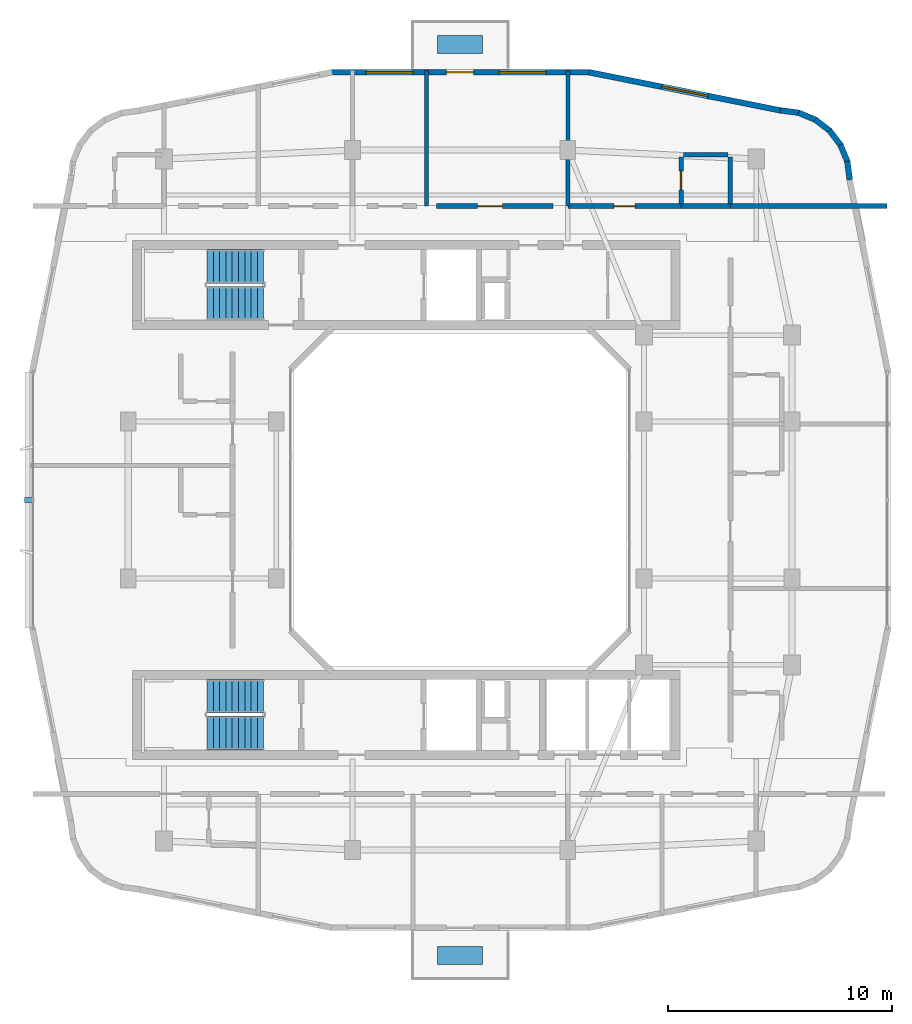
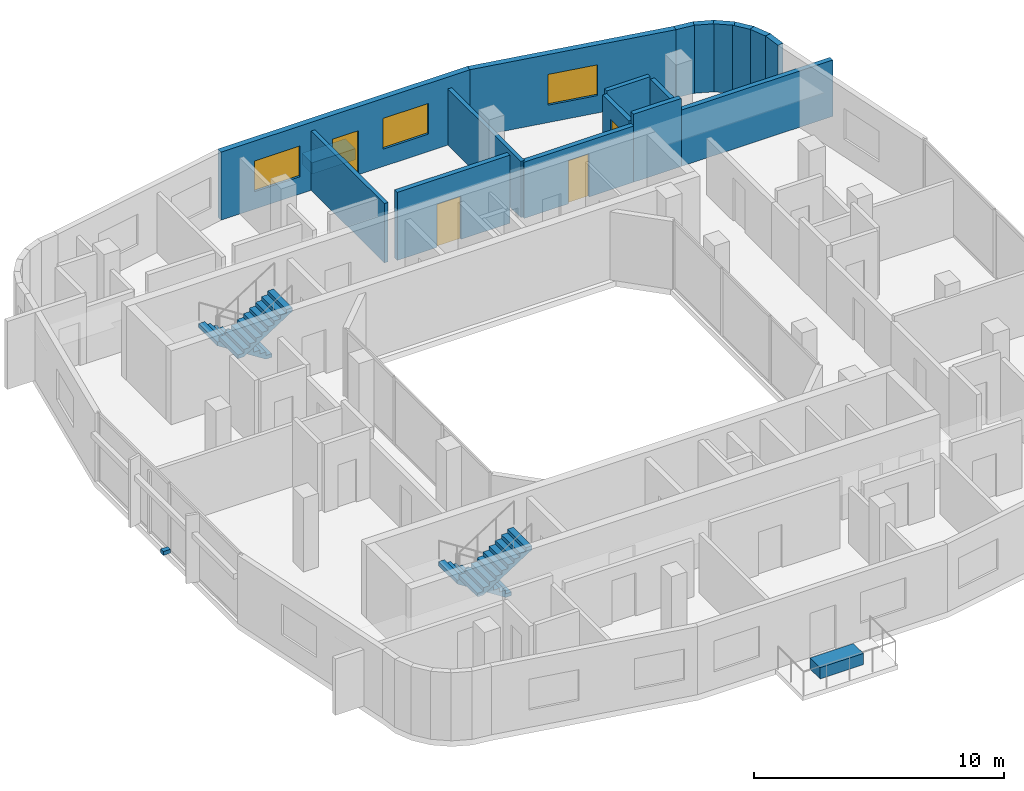
# One storey, part 9 of 13: 17 walls, 4 doors, 4 stair flights, 3 discrete accessories, 3 windows, 7 openings, 2 elements without a shape of their own.
"""IFC4 building model written with IfcOpenShell, lengths in metres."""

from ifc_helpers import new_model, si_unit, derived_unit, direction, frame, frame_2d, origin, origin_2d, place, context, subcontext, project, spatial, polyline, rectangle, outline, extrude, material, layer, layer_set, type_object, element, fill, aggregate, save


model = new_model("IFC4")

# Units and contexts
model_context = context("Model", 3, precision=1e-05, world=origin(), true_north=direction((0.0, 1.0)))
body_context = subcontext(model_context, "Body", "Model", "MODEL_VIEW")
ifc_project = project(units=[si_unit("LENGTHUNIT", "METRE"), si_unit("AREAUNIT", "SQUARE_METRE"), si_unit("VOLUMEUNIT", "CUBIC_METRE"), si_unit("PLANEANGLEUNIT", "RADIAN"), si_unit("MASSUNIT", "GRAM", prefix="KILO"), derived_unit("THERMALTRANSMITTANCEUNIT", [(si_unit("POWERUNIT", "WATT"), 1), (si_unit("LENGTHUNIT", "METRE"), -2), (si_unit("THERMODYNAMICTEMPERATUREUNIT", "KELVIN"), -1)])], contexts=[model_context])

# Site, building, storey
site_placement = place(None, origin())
site = spatial("IfcSite", under=ifc_project, at=site_placement, CompositionType="ELEMENT")
building_placement = place(site_placement, origin())
building = spatial("IfcBuilding", under=site, at=building_placement, Name="Kivonza Crest Hotel", CompositionType="ELEMENT")
storey_placement = place(building_placement, frame((0.0, 0.0, 231.5)))
storey = spatial("IfcBuildingStorey", under=building, at=storey_placement, Name="L63", CompositionType="ELEMENT", Elevation=231.5)

# Walls
ifc_material_1 = material(Name="High-density acoustic masonry inter-tenancy wall", Category="masonry")
ifc_layer_1 = layer(ifc_material_1, 0.179931640625)
ifc_layer_set_1 = layer_set([ifc_layer_1], Name="High-density acoustic masonry inter-tenancy wall")
wall_type_1 = type_object("IfcWallType", Name="WL-ACOU-180", PredefinedType="SOLIDWALL", material=ifc_layer_set_1)
wall_1_placement = place(storey_placement, frame((19.5, 38.10009765625, 0.0), z_axis=(0.0, 0.0, 1.0), x_axis=(0.0, 1.0, 0.0)))
element("IfcWall", 1, at=wall_1_placement, inside=storey, type_object=wall_type_1, Name="L63 interior partition WA-L63-T1N-SPDIV2", PredefinedType="SOLIDWALL", context=body_context, shape_type="SweptSolid", body=[
    extrude(rectangle(XDim=6.039794921875, YDim=0.179931640625, at=frame_2d((3.02001953125, 0.0))), origin(), (0.0, 0.0, 1.0), 2.89501953125),
])
wall_2_placement = place(storey_placement, frame((25.800048828125, 38.10009765625, 0.0), z_axis=(0.0, 0.0, 1.0), x_axis=(0.0, 1.0, 0.0)))
element("IfcWall", 2, at=wall_2_placement, inside=storey, type_object=wall_type_1, Name="L63 interior partition WA-L63-T1N-DIV3", PredefinedType="SOLIDWALL", context=body_context, shape_type="SweptSolid", body=[
    extrude(rectangle(XDim=6.039794921875, YDim=0.179931640625, at=frame_2d((3.02001953125, 0.0))), origin(), (0.0, 0.0, 1.0), 2.7451171875),
])

# Wall, opening, door
ifc_material_2 = material(Name="Autoclaved aerated concrete blockwork", Category="masonry")
ifc_layer_2 = layer(ifc_material_2, 0.219970703125)
ifc_layer_set_2 = layer_set([ifc_layer_2], Name="Autoclaved aerated concrete blockwork")
wall_type_2 = type_object("IfcWallType", Name="WL-ACOU-220", PredefinedType="SOLIDWALL", material=ifc_layer_set_2)
wall_3_placement = place(storey_placement, frame((19.949951171875, 38.10009765625, 0.0), z_axis=(0.0, 0.0, 1.0), x_axis=(1.0, 0.0, 0.0)))
wall_3 = element("IfcWall", 3, at=wall_3_placement, inside=storey, type_object=wall_type_2, Name="L63 interior partition WA-L63-Z3-NOFF2B-S", PredefinedType="SOLIDWALL", context=body_context, shape_type="SweptSolid", body=[
    extrude(rectangle(XDim=5.199951171875, YDim=0.219970703125, at=frame_2d((2.60009765625, 0.0))), origin(), (0.0, 0.0, 1.0), 3.320068359375),
])
opening_1_placement = place(wall_3_placement, frame((1.8349609375, 0.0, 0.0)))
opening_1 = element("IfcOpeningElement", 4, at=opening_1_placement, cuts=wall_3, Name="Opening DF-60M", PredefinedType="OPENING", context=body_context, shape_type="SweptSolid", body=[
    extrude(rectangle(XDim=1.10009765625, YDim=2.10009765625, at=frame_2d((0.550048828125, 1.050048828125))), frame((0.0, 0.1201171875, 0.0), z_axis=(0.0, -1.0, 0.0), x_axis=(1.0, 0.0, 0.0)), (0.0, 0.0, 1.0), 0.239990234375),
])
ifc_material_3 = material(Name="Hardwood timber oak", Category="wood")
door_type_1 = type_object("IfcDoorType", Name="DR-FD60-1100", OperationType="NOTDEFINED", PredefinedType="DOOR", material=ifc_material_3)
door_1_placement = place(opening_1_placement, origin())
door_1 = element("IfcDoor", 5, at=door_1_placement, inside=storey, type_object=door_type_1, Name="L63 High-Rise Diplomatic Study Office door", OperationType="SINGLE_SWING_LEFT", OverallHeight=2.10009765625, OverallWidth=1.10009765625, PredefinedType="DOOR", context=body_context, shape_type="SweptSolid", body=[
    extrude(rectangle(XDim=1.10009765625, YDim=2.10009765625, at=frame_2d((0.550048828125, 1.050048828125))), frame((0.0, 0.02490234375, 0.0), z_axis=(0.0, -1.0, 0.0), x_axis=(1.0, 0.0, 0.0)), (0.0, 0.0, 1.0), 0.050048828125),
])
fill(opening_1, door_1)

# Walls
wall_4_placement = place(storey_placement, frame((33.050048828125, 38.10009765625, 0.0), z_axis=(0.0, 0.0, 1.0), x_axis=(1.0, 0.0, 0.0)))
element("IfcWall", 6, at=wall_4_placement, inside=storey, type_object=wall_type_2, Name="L63 interior partition WA-L63-N02-XCORR", PredefinedType="SOLIDWALL", context=body_context, shape_type="SweptSolid", body=[
    extrude(rectangle(XDim=6.989990234375, YDim=0.219970703125, at=frame_2d((3.4951171875, 0.0))), origin(), (0.0, 0.0, 1.0), 2.7451171875),
])
wall_5_placement = place(storey_placement, frame((30.85009765625, 38.10009765625, 0.0), z_axis=(0.0, 0.0, 1.0), x_axis=(1.0, 0.0, 0.0)))
element("IfcWall", 7, at=wall_5_placement, inside=storey, type_object=wall_type_2, Name="L63 interior partition WA-L63-N02-BCORR", PredefinedType="SOLIDWALL", context=body_context, shape_type="SweptSolid", body=[
    extrude(rectangle(XDim=2.199951171875, YDim=0.219970703125, at=frame_2d((1.10009765625, 0.0))), origin(), (0.0, 0.0, 1.0), 3.320068359375),
])

# Wall, opening, door
wall_6_placement = place(storey_placement, frame((25.800048828125, 38.10009765625, 0.0), z_axis=(0.0, 0.0, 1.0), x_axis=(1.0, 0.0, 0.0)))
wall_6 = element("IfcWall", 8, at=wall_6_placement, inside=storey, type_object=wall_type_2, Name="L63 interior partition WA-L63-N02-MCORR", PredefinedType="SOLIDWALL", context=body_context, shape_type="SweptSolid", body=[
    extrude(rectangle(XDim=5.050048828125, YDim=0.219970703125, at=frame_2d((2.52490234375, 0.0))), origin(), (0.0, 0.0, 1.0), 2.7451171875),
])
opening_2_placement = place(wall_6_placement, frame((2.050048828125, 0.0, 0.0)))
opening_2 = element("IfcOpeningElement", 9, at=opening_2_placement, cuts=wall_6, Name="Opening DU-60", PredefinedType="OPENING", context=body_context, shape_type="SweptSolid", body=[
    extrude(rectangle(XDim=0.949951171875, YDim=2.10009765625, at=frame_2d((0.47509765625, 1.050048828125))), frame((0.0, 0.1201171875, 0.0), z_axis=(0.0, -1.0, 0.0), x_axis=(1.0, 0.0, 0.0)), (0.0, 0.0, 1.0), 0.239990234375),
])
door_type_2 = type_object("IfcDoorType", Name="DR-UNIT-950", OperationType="NOTDEFINED", PredefinedType="DOOR", material=ifc_material_3)
door_2_placement = place(opening_2_placement, origin())
door_2 = element("IfcDoor", 10, at=door_2_placement, inside=storey, type_object=door_type_2, Name="L63 N02 guest unit entrance fire door", OperationType="SINGLE_SWING_RIGHT", OverallHeight=2.10009765625, OverallWidth=0.949951171875, PredefinedType="DOOR", context=body_context, shape_type="SweptSolid", body=[
    extrude(rectangle(XDim=0.949951171875, YDim=2.10009765625, at=frame_2d((0.47509765625, 1.050048828125))), frame((0.0, 0.02490234375, 0.0), z_axis=(0.0, -1.0, 0.0), x_axis=(1.0, 0.0, 0.0)), (0.0, 0.0, 1.0), 0.050048828125),
])
fill(opening_2, door_2)

# Walls
ifc_material_4 = material(Name="Precast concrete C40/50", Category="concrete")
ifc_layer_3 = layer(ifc_material_4, 0.260009765625)
ifc_layer_set_3 = layer_set([ifc_layer_3], Name="Precast concrete C40/50")
wall_type_3 = type_object("IfcWallType", Name="WL-EXT-260", PredefinedType="STANDARD", material=ifc_layer_set_3)
wall_7_placement = place(storey_placement, frame((38.3720703125, 39.27490234375, 0.0), z_axis=(0.0, 0.0, 1.0), x_axis=(-0.130954667764, 0.9913883573, 0.0)))
element("IfcWall", 11, at=wall_7_placement, inside=storey, type_object=wall_type_3, Name="L63 T1 exterior insulated wall 19", PredefinedType="STANDARD", context=body_context, shape_type="SweptSolid", body=[
    extrude(rectangle(XDim=0.833251953125, YDim=0.260009765625, at=frame_2d((0.41650390625, 0.0))), origin(), (0.0, 0.0, 1.0), 3.320068359375),
])
wall_8_placement = place(storey_placement, frame((38.281005859375, 40.054931640625, 0.0), z_axis=(0.0, 0.0, 1.0), x_axis=(-0.382985169477, 0.923754491172, 0.0)))
element("IfcWall", 12, at=wall_8_placement, inside=storey, type_object=wall_type_3, Name="L63 T1 exterior insulated wall 20", PredefinedType="STANDARD", context=body_context, shape_type="SweptSolid", body=[
    extrude(rectangle(XDim=0.85107421875, YDim=0.260009765625, at=frame_2d((0.425537109375, 0.0))), origin(), (0.0, 0.0, 1.0), 3.320068359375),
])
for number, where, z_axis, x_axis, name in (
    (13, (37.98291015625, 40.801025390625, 0.0), (0.0, 0.0, 1.0), (-0.607918988881, 0.793999057278, 0.0), "L63 T1 exterior insulated wall 21"),
    (14, (37.50390625, 41.445068359375, 0.0), (0.0, 0.0, 1.0), (-0.793892896323, 0.608057619941, 0.0), "L63 T1 exterior insulated wall 22"),
):
    element("IfcWall", number, at=place(storey_placement, frame(where, z_axis=z_axis, x_axis=x_axis)), inside=storey, type_object=wall_type_3, Name=name, PredefinedType="STANDARD", context=body_context, shape_type="SweptSolid", body=[
        extrude(rectangle(XDim=0.85009765625, YDim=0.260009765625, at=frame_2d((0.425048828125, 0.0))), origin(), (0.0, 0.0, 1.0), 3.320068359375),
    ])
wall_9_placement = place(storey_placement, frame((36.873046875, 41.94091796875, 0.0), z_axis=(0.0, 0.0, 1.0), x_axis=(-0.923652976167, 0.383229930484, 0.0)))
element("IfcWall", 15, at=wall_9_placement, inside=storey, type_object=wall_type_3, Name="L63 T1 exterior insulated wall 23", PredefinedType="STANDARD", context=body_context, shape_type="SweptSolid", body=[
    extrude(rectangle(XDim=0.85107421875, YDim=0.260009765625, at=frame_2d((0.425537109375, 0.0))), origin(), (0.0, 0.0, 1.0), 3.320068359375),
])
wall_10_placement = place(storey_placement, frame((36.135986328125, 42.259033203125, 0.0), z_axis=(0.0, 0.0, 1.0), x_axis=(-0.991493480548, 0.130156359936, 0.0)))
element("IfcWall", 16, at=wall_10_placement, inside=storey, type_object=wall_type_3, Name="L63 T1 exterior insulated wall 24", PredefinedType="STANDARD", context=body_context, shape_type="SweptSolid", body=[
    extrude(rectangle(XDim=0.868408203125, YDim=0.260009765625, at=frame_2d((0.43408203125, 0.0))), origin(), (0.0, 0.0, 1.0), 3.320068359375),
])

# Wall, opening, window
wall_11_placement = place(storey_placement, frame((35.282958984375, 42.37109375, 0.0), z_axis=(0.0, 0.0, 1.0), x_axis=(-0.980748582507, 0.1952747242, 0.0)))
wall_11 = element("IfcWall", 17, at=wall_11_placement, inside=storey, type_object=wall_type_3, Name="L63 T1 exterior insulated wall 25", PredefinedType="STANDARD", context=body_context, shape_type="SweptSolid", body=[
    extrude(rectangle(XDim=8.705322265625, YDim=0.260009765625, at=frame_2d((4.3525390625, 0.0))), origin(), (0.0, 0.0, 1.0), 3.320068359375),
])
opening_3_placement = place(wall_11_placement, frame((3.302978515625, 0.0, 0.85009765625)))
opening_3 = element("IfcOpeningElement", 18, at=opening_3_placement, cuts=wall_11, Name="Opening WN-04", PredefinedType="OPENING", context=body_context, shape_type="SweptSolid", body=[
    extrude(rectangle(XDim=2.10009765625, YDim=1.5, at=frame_2d((1.050048828125, 0.75))), frame((0.0, 0.14013671875, 0.0), z_axis=(0.0, -1.0, 0.0), x_axis=(1.0, 0.0, 0.0)), (0.0, 0.0, 1.0), 0.280029296875),
])
ifc_material_5 = material(Name="Thermally broken bronze aluminium and low-E double glazing", Category="aluminium")
window_type = type_object("IfcWindowType", Name="WN-210x150", PartitioningType="DOUBLE_PANEL_VERTICAL", PredefinedType="WINDOW", material=ifc_material_5)
window_1_placement = place(opening_3_placement, origin())
window_1 = element("IfcWindow", 19, at=window_1_placement, inside=storey, type_object=window_type, Name="L63 T1 facade window 25", OverallHeight=1.5, OverallWidth=2.10009765625, PartitioningType="SINGLE_PANEL", PredefinedType="WINDOW", context=body_context, shape_type="SweptSolid", body=[
    extrude(rectangle(XDim=2.10009765625, YDim=1.5, at=frame_2d((1.050048828125, 0.75))), frame((0.0, 0.030029296875, 0.0), z_axis=(0.0, -1.0, 0.0), x_axis=(1.0, 0.0, 0.0)), (0.0, 0.0, 1.0), 0.06005859375),
])
fill(opening_3, window_1)

# Wall, openings, door, windows
wall_12_placement = place(storey_placement, frame((26.784912109375, 44.070068359375, 0.0), z_axis=(0.0, 0.0, 1.0), x_axis=(-1.0, 0.0, 0.0)))
wall_12 = element("IfcWall", 20, at=wall_12_placement, inside=storey, type_object=wall_type_3, Name="L63 T1 exterior insulated wall 26", PredefinedType="STANDARD", context=body_context, shape_type="SweptSolid", body=[
    extrude(rectangle(XDim=11.534912109375, YDim=0.260009765625, at=frame_2d((5.767578125, 0.0))), origin(), (0.0, 0.0, 1.0), 3.320068359375),
])
opening_4_placement = place(wall_12_placement, frame((5.18505859375, 0.0, 0.0)))
opening_4 = element("IfcOpeningElement", 21, at=opening_4_placement, cuts=wall_12, Name="Opening DT-120", PredefinedType="OPENING", context=body_context, shape_type="SweptSolid", body=[
    extrude(rectangle(XDim=1.199951171875, YDim=2.14990234375, at=frame_2d((0.60009765625, 1.074951171875))), frame((0.0, 0.14013671875, 0.0), z_axis=(0.0, -1.0, 0.0), x_axis=(1.0, 0.0, 0.0)), (0.0, 0.0, 1.0), 0.280029296875),
])
opening_5_placement = place(wall_12_placement, frame((1.9599609375, 0.0, 0.85009765625)))
opening_5 = element("IfcOpeningElement", 22, at=opening_5_placement, cuts=wall_12, Name="Opening WN-04", PredefinedType="OPENING", context=body_context, shape_type="SweptSolid", body=[
    extrude(rectangle(XDim=2.10009765625, YDim=1.5, at=frame_2d((1.050048828125, 0.75))), frame((0.0, 0.14013671875, 0.0), z_axis=(0.0, -1.0, 0.0), x_axis=(1.0, 0.0, 0.0)), (0.0, 0.0, 1.0), 0.280029296875),
])
opening_6_placement = place(wall_12_placement, frame((7.885009765625, 0.0, 0.85009765625)))
opening_6 = element("IfcOpeningElement", 23, at=opening_6_placement, cuts=wall_12, Name="Opening WN-04", PredefinedType="OPENING", context=body_context, shape_type="SweptSolid", body=[
    extrude(rectangle(XDim=2.10009765625, YDim=1.5, at=frame_2d((1.050048828125, 0.75))), frame((0.0, 0.14013671875, 0.0), z_axis=(0.0, -1.0, 0.0), x_axis=(1.0, 0.0, 0.0)), (0.0, 0.0, 1.0), 0.280029296875),
])
ifc_material_6 = material(Name="Anodised bronze aluminium and laminated safety glass", Category="aluminium")
door_type_3 = type_object("IfcDoorType", Name="DR-TERR-1200", OperationType="NOTDEFINED", PredefinedType="DOOR", material=ifc_material_6)
door_3_placement = place(opening_4_placement, frame((1.199951171875, 0.0, 0.0), z_axis=(0.0, 0.0, 1.0), x_axis=(-1.0, 0.0, 0.0)))
door_3 = element("IfcDoor", 24, at=door_3_placement, inside=storey, type_object=door_type_3, Name="T1 L63 NE sky-garden bridge access door", OperationType="SINGLE_SWING_LEFT", OverallHeight=2.14990234375, OverallWidth=1.199951171875, PredefinedType="DOOR", context=body_context, shape_type="SweptSolid", body=[
    extrude(rectangle(XDim=1.199951171875, YDim=2.14990234375, at=frame_2d((0.60009765625, 1.074951171875))), frame((0.0, 0.02490234375, 0.0), z_axis=(0.0, -1.0, 0.0), x_axis=(1.0, 0.0, 0.0)), (0.0, 0.0, 1.0), 0.050048828125),
])
fill(opening_4, door_3)
window_2_placement = place(opening_5_placement, origin())
window_2 = element("IfcWindow", 25, at=window_2_placement, inside=storey, type_object=window_type, Name="L63 T1 facade window 26 bay 1", OverallHeight=1.5, OverallWidth=2.10009765625, PartitioningType="SINGLE_PANEL", PredefinedType="WINDOW", context=body_context, shape_type="SweptSolid", body=[
    extrude(rectangle(XDim=2.10009765625, YDim=1.5, at=frame_2d((1.050048828125, 0.75))), frame((0.0, 0.030029296875, 0.0), z_axis=(0.0, -1.0, 0.0), x_axis=(1.0, 0.0, 0.0)), (0.0, 0.0, 1.0), 0.06005859375),
])
fill(opening_5, window_2)
window_3_placement = place(opening_6_placement, origin())
window_3 = element("IfcWindow", 26, at=window_3_placement, inside=storey, type_object=window_type, Name="L63 T1 facade window 26 bay 2", OverallHeight=1.5, OverallWidth=2.10009765625, PartitioningType="SINGLE_PANEL", PredefinedType="WINDOW", context=body_context, shape_type="SweptSolid", body=[
    extrude(rectangle(XDim=2.10009765625, YDim=1.5, at=frame_2d((1.050048828125, 0.75))), frame((0.0, 0.030029296875, 0.0), z_axis=(0.0, -1.0, 0.0), x_axis=(1.0, 0.0, 0.0)), (0.0, 0.0, 1.0), 0.06005859375),
])
fill(opening_6, window_3)

# Wall, opening, door
ifc_material_7 = material(Name="Moisture-resistant plumbing chase partition wall", Category="gypsum")
ifc_layer_4 = layer(ifc_material_7, 0.199951171875)
ifc_layer_set_4 = layer_set([ifc_layer_4], Name="Moisture-resistant plumbing chase partition wall")
wall_type_4 = type_object("IfcWallType", Name="WL-PLUMB-200", PredefinedType="PLUMBINGWALL", material=ifc_layer_set_4)
wall_13_placement = place(storey_placement, frame((30.85009765625, 38.199951171875, 0.0), z_axis=(0.0, 0.0, 1.0), x_axis=(0.0, 1.0, 0.0)))
wall_13 = element("IfcWall", 27, at=wall_13_placement, inside=storey, type_object=wall_type_4, Name="L63 interior partition WW-L63-N02-BV", PredefinedType="PLUMBINGWALL", context=body_context, shape_type="SweptSolid", body=[
    extrude(rectangle(XDim=2.10009765625, YDim=0.199951171875, at=frame_2d((1.050048828125, 0.0))), origin(), (0.0, 0.0, 1.0), 2.89501953125),
])
opening_7_placement = place(wall_13_placement, frame((0.625, 0.0, 0.0)))
opening_7 = element("IfcOpeningElement", 28, at=opening_7_placement, cuts=wall_13, Name="Opening DI-85", PredefinedType="OPENING", context=body_context, shape_type="SweptSolid", body=[
    extrude(rectangle(XDim=0.85009765625, YDim=2.10009765625, at=frame_2d((0.425048828125, 1.050048828125))), frame((0.0, 0.10986328125, 0.0), z_axis=(0.0, -1.0, 0.0), x_axis=(1.0, 0.0, 0.0)), (0.0, 0.0, 1.0), 0.219970703125),
])
door_type_4 = type_object("IfcDoorType", Name="DR-INT-850", OperationType="NOTDEFINED", PredefinedType="DOOR", material=ifc_material_3)
door_4_placement = place(opening_7_placement, origin())
door_4 = element("IfcDoor", 29, at=door_4_placement, inside=storey, type_object=door_type_4, Name="L63 N02 en-suite bathroom door", OperationType="SINGLE_SWING_LEFT", OverallHeight=2.10009765625, OverallWidth=0.85009765625, PredefinedType="DOOR", context=body_context, shape_type="SweptSolid", body=[
    extrude(rectangle(XDim=0.85009765625, YDim=2.10009765625, at=frame_2d((0.425048828125, 1.050048828125))), frame((0.0, 0.02490234375, 0.0), z_axis=(0.0, -1.0, 0.0), x_axis=(1.0, 0.0, 0.0)), (0.0, 0.0, 1.0), 0.050048828125),
])
fill(opening_7, door_4)

# Walls
wall_14_placement = place(storey_placement, frame((30.949951171875, 40.39990234375, 0.0), z_axis=(0.0, 0.0, 1.0), x_axis=(1.0, 0.0, 0.0)))
element("IfcWall", 30, at=wall_14_placement, inside=storey, type_object=wall_type_4, Name="L63 interior partition WW-L63-N02-BH", PredefinedType="PLUMBINGWALL", context=body_context, shape_type="SweptSolid", body=[
    extrude(rectangle(XDim=2.0, YDim=0.199951171875, at=frame_2d((1.0, 0.0))), origin(), (0.0, 0.0, 1.0), 3.014892578125),
])
wall_15_placement = place(storey_placement, frame((33.050048828125, 38.199951171875, 0.0), z_axis=(0.0, 0.0, 1.0), x_axis=(0.0, 1.0, 0.0)))
element("IfcWall", 31, at=wall_15_placement, inside=storey, type_object=wall_type_4, Name="L63 interior partition WW-L63-N02-BVE", PredefinedType="PLUMBINGWALL", context=body_context, shape_type="SweptSolid", body=[
    extrude(rectangle(XDim=2.10009765625, YDim=0.199951171875, at=frame_2d((1.050048828125, 0.0))), origin(), (0.0, 0.0, 1.0), 2.89501953125),
])

# Stair, stair flights
ifc_material_8 = material(Name="Concrete C40/50", Category="concrete")
stair_type = type_object("IfcStairType", Name="ST-DL-20R", PredefinedType="HALF_TURN_STAIR", material=ifc_material_8)
stair_1_placement = place(storey_placement, origin())
stair_1 = element("IfcStair", 32, at=stair_1_placement, inside=storey, type_object=stair_type, Name="L63 Protected Exit Stair ST-T1-N", PredefinedType="HALF_TURN_STAIR")
stair_flight_type = type_object("IfcStairFlightType", Name="SFL-RC-10R", PredefinedType="STRAIGHT", material=ifc_material_8)
stair_flight_1_placement = place(storey_placement, frame((12.239990234375, 35.409912109375, 0.0), z_axis=(0.0, 0.0, 1.0), x_axis=(-1.0, 0.0, 0.0)))
stair_flight_1 = element("IfcStairFlight", 33, at=stair_flight_1_placement, type_object=stair_flight_type, Name="ST-T1-N flight 1", NumberOfRisers=10, NumberOfTreads=9, PredefinedType="STRAIGHT", RiserHeight=0.18, TreadLength=0.28, context=body_context, shape_type="SweptSolid", body=[
    extrude(outline(polyline([(0.0, 0.0), (0.0, 0.179931640625), (0.280029296875, 0.179931640625), (0.280029296875, 0.360107421875), (0.56005859375, 0.360107421875), (0.56005859375, 0.5400390625), (0.840087890625, 0.5400390625), (0.840087890625, 0.719970703125), (1.1201171875, 0.719970703125), (1.1201171875, 0.89990234375), (1.39990234375, 0.89990234375), (1.39990234375, 1.080078125), (1.679931640625, 1.080078125), (1.679931640625, 1.260009765625), (1.9599609375, 1.260009765625), (1.9599609375, 1.43994140625), (2.239990234375, 1.43994140625), (2.239990234375, 1.6201171875), (2.52001953125, 1.6201171875), (2.52001953125, 1.800048828125), (2.52001953125, 1.44189453125), (0.277099609375, 0.0), (0.0, 0.0)])), frame((0.0, 0.75, 0.0), z_axis=(0.0, -1.0, 0.0), x_axis=(1.0, 0.0, 0.0)), (0.0, 0.0, 1.0), 1.5),
])
stair_flight_2_placement = place(storey_placement, frame((9.719970703125, 33.77001953125, 1.800048828125), z_axis=(0.0, 0.0, 1.0), x_axis=(1.0, 0.0, 0.0)))
stair_flight_2 = element("IfcStairFlight", 34, at=stair_flight_2_placement, type_object=stair_flight_type, Name="ST-T1-N flight 2", NumberOfRisers=10, NumberOfTreads=9, PredefinedType="STRAIGHT", RiserHeight=0.18, TreadLength=0.28, context=body_context, shape_type="SweptSolid", body=[
    extrude(outline(polyline([(0.0, 0.0), (0.0, 0.179931640625), (0.280029296875, 0.179931640625), (0.280029296875, 0.360107421875), (0.56005859375, 0.360107421875), (0.56005859375, 0.5400390625), (0.840087890625, 0.5400390625), (0.840087890625, 0.719970703125), (1.1201171875, 0.719970703125), (1.1201171875, 0.89990234375), (1.39990234375, 0.89990234375), (1.39990234375, 1.080078125), (1.679931640625, 1.080078125), (1.679931640625, 1.260009765625), (1.9599609375, 1.260009765625), (1.9599609375, 1.43994140625), (2.239990234375, 1.43994140625), (2.239990234375, 1.6201171875), (2.52001953125, 1.6201171875), (2.52001953125, 1.800048828125), (2.52001953125, 1.44189453125), (0.277099609375, 0.0), (0.0, 0.0)])), frame((0.0, 0.75, 0.0), z_axis=(0.0, -1.0, 0.0), x_axis=(1.0, 0.0, 0.0)), (0.0, 0.0, 1.0), 1.5),
])
aggregate(stair_1, [stair_flight_1, stair_flight_2])

stair_2_placement = place(storey_placement, origin())
stair_2 = element("IfcStair", 35, at=stair_2_placement, inside=storey, type_object=stair_type, Name="L63 Protected Exit Stair ST-T1-S", PredefinedType="HALF_TURN_STAIR")
stair_flight_3_placement = place(storey_placement, frame((12.239990234375, 16.25, 0.0), z_axis=(0.0, 0.0, 1.0), x_axis=(-1.0, 0.0, 0.0)))
stair_flight_3 = element("IfcStairFlight", 36, at=stair_flight_3_placement, type_object=stair_flight_type, Name="ST-T1-S flight 1", NumberOfRisers=10, NumberOfTreads=9, PredefinedType="STRAIGHT", RiserHeight=0.18, TreadLength=0.28, context=body_context, shape_type="SweptSolid", body=[
    extrude(outline(polyline([(0.0, 0.0), (0.0, 0.179931640625), (0.280029296875, 0.179931640625), (0.280029296875, 0.360107421875), (0.56005859375, 0.360107421875), (0.56005859375, 0.5400390625), (0.840087890625, 0.5400390625), (0.840087890625, 0.719970703125), (1.1201171875, 0.719970703125), (1.1201171875, 0.89990234375), (1.39990234375, 0.89990234375), (1.39990234375, 1.080078125), (1.679931640625, 1.080078125), (1.679931640625, 1.260009765625), (1.9599609375, 1.260009765625), (1.9599609375, 1.43994140625), (2.239990234375, 1.43994140625), (2.239990234375, 1.6201171875), (2.52001953125, 1.6201171875), (2.52001953125, 1.800048828125), (2.52001953125, 1.44189453125), (0.277099609375, 0.0), (0.0, 0.0)])), frame((0.0, 0.75, 0.0), z_axis=(0.0, -1.0, 0.0), x_axis=(1.0, 0.0, 0.0)), (0.0, 0.0, 1.0), 1.5),
])
stair_flight_4_placement = place(storey_placement, frame((9.719970703125, 14.610107421875, 1.800048828125), z_axis=(0.0, 0.0, 1.0), x_axis=(1.0, 0.0, 0.0)))
stair_flight_4 = element("IfcStairFlight", 37, at=stair_flight_4_placement, type_object=stair_flight_type, Name="ST-T1-S flight 2", NumberOfRisers=10, NumberOfTreads=9, PredefinedType="STRAIGHT", RiserHeight=0.18, TreadLength=0.28, context=body_context, shape_type="SweptSolid", body=[
    extrude(outline(polyline([(0.0, 0.0), (0.0, 0.179931640625), (0.280029296875, 0.179931640625), (0.280029296875, 0.360107421875), (0.56005859375, 0.360107421875), (0.56005859375, 0.5400390625), (0.840087890625, 0.5400390625), (0.840087890625, 0.719970703125), (1.1201171875, 0.719970703125), (1.1201171875, 0.89990234375), (1.39990234375, 0.89990234375), (1.39990234375, 1.080078125), (1.679931640625, 1.080078125), (1.679931640625, 1.260009765625), (1.9599609375, 1.260009765625), (1.9599609375, 1.43994140625), (2.239990234375, 1.43994140625), (2.239990234375, 1.6201171875), (2.52001953125, 1.6201171875), (2.52001953125, 1.800048828125), (2.52001953125, 1.44189453125), (0.277099609375, 0.0), (0.0, 0.0)])), frame((0.0, 0.75, 0.0), z_axis=(0.0, -1.0, 0.0), x_axis=(1.0, 0.0, 0.0)), (0.0, 0.0, 1.0), 1.5),
])
aggregate(stair_2, [stair_flight_3, stair_flight_4])

# Discrete accessories
ifc_material_9 = material(Name="Stainless steel 316", Category="steel")
discrete_accessory_type_1 = type_object("IfcDiscreteAccessoryType", Name="AC-BRACKET-240", PredefinedType="BRACKET", material=ifc_material_9)
discrete_accessory_placement = place(storey_placement, frame((1.760009765625, 25.0, -0.009765625), z_axis=(0.0, 0.0, 1.0), x_axis=(0.0, -1.0, 0.0)))
element("IfcDiscreteAccessory", 38, at=discrete_accessory_placement, inside=storey, type_object=discrete_accessory_type_1, Name="L63 terracotta baguette support bracket CW-T1-L63-35", PredefinedType="BRACKET", context=body_context, shape_type="SweptSolid", body=[
    extrude(rectangle(XDim=0.219970703125, YDim=0.340087890625, at=origin_2d()), origin(), (0.0, 0.0, 1.0), 0.179931640625),
])
ifc_material_10 = material(Name="Precast GRC planter with engineered planting soil", Category="concrete")
discrete_accessory_type_2 = type_object("IfcDiscreteAccessoryType", Name="AC-PLANTER-1800", PredefinedType="USERDEFINED", material=ifc_material_10)
for number, where, z_axis, x_axis, name in (
    (39, (21.0, 4.699951171875, 0.0), (0.0, 0.0, 1.0), (1.0, 0.0, 0.0), "T1 L63 SW sky-garden planter"),
    (40, (21.0, 45.300048828125, 0.0), (0.0, 0.0, 1.0), (1.0, 0.0, 0.0), "T1 L63 NE sky-garden planter"),
):
    element("IfcDiscreteAccessory", number, at=place(storey_placement, frame(where, z_axis=z_axis, x_axis=x_axis)), inside=storey, type_object=discrete_accessory_type_2, Name=name, ObjectType="PLANTER", PredefinedType="USERDEFINED", context=body_context, shape_type="SweptSolid", body=[
        extrude(rectangle(XDim=2.0, YDim=0.800048828125, at=origin_2d()), origin(), (0.0, 0.0, 1.0), 0.550048828125),
    ])

save(model, "model.ifc")
